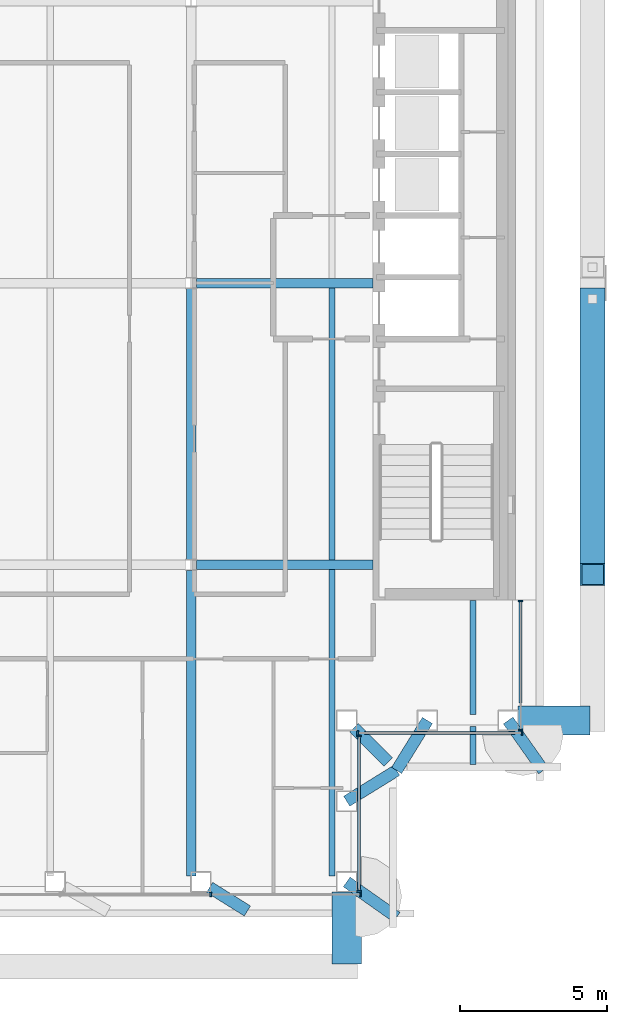
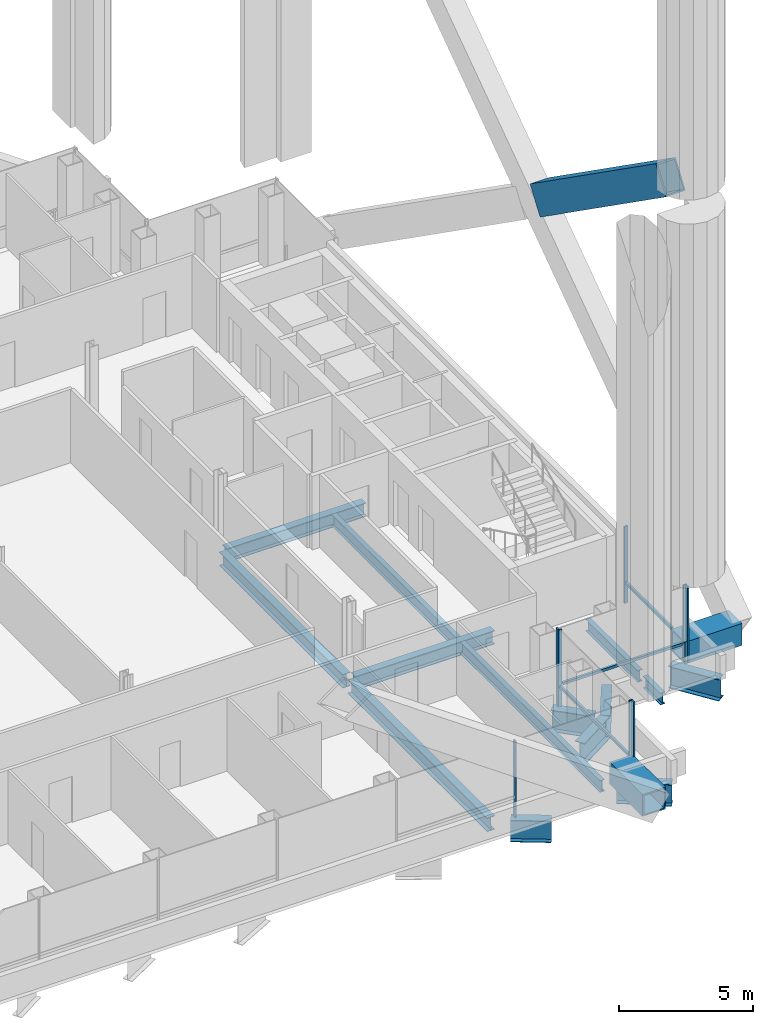
# One storey, part 6 of 22: 16 beams, 12 members, 4 elements without a shape of their own.
"""IFC4 building model written with IfcOpenShell, lengths in metres."""

from ifc_helpers import new_model, si_unit, direction, frame, origin, origin_2d, place, context, subcontext, project, spatial, rectangle, hollow_rectangle, i_section, extrude, material, material_profile, profile_set, type_object, element, aggregate, save


model = new_model("IFC4")

# Units and contexts
model_context = context("Model", 3, precision=1e-05, world=origin(), true_north=direction((0.0, 1.0)))
body_context = subcontext(model_context, "Body", "Model", "MODEL_VIEW")
ifc_project = project(units=[si_unit("LENGTHUNIT", "METRE"), si_unit("AREAUNIT", "SQUARE_METRE"), si_unit("VOLUMEUNIT", "CUBIC_METRE"), si_unit("PLANEANGLEUNIT", "RADIAN"), si_unit("MASSUNIT", "GRAM", prefix="KILO")], contexts=[model_context])

# Site, building, storey
site_placement = place(None, origin())
site = spatial("IfcSite", under=ifc_project, at=site_placement, CompositionType="ELEMENT")
building_placement = place(site_placement, origin())
building = spatial("IfcBuilding", under=site, at=building_placement, Name="Cobrizo Arcos Hotel Tower", CompositionType="ELEMENT")
storey_placement = place(building_placement, frame((0.0, 0.0, 191.0)))
storey = spatial("IfcBuildingStorey", under=building, at=storey_placement, Name="L49", CompositionType="ELEMENT", Elevation=191.0)

# Beams
ifc_material_1 = material(Name="Steel ASTM A572 Grade 50", Category="steel")
ifc_material_profile_1 = material_profile(ifc_material_1, hollow_rectangle(XDim=1.0, YDim=1.0, WallThickness=0.06005859375, at=origin_2d()), Name="BOX 1000X1000X60")
ifc_profile_set_1 = profile_set([ifc_material_profile_1], Name="Steel ASTM A572 Grade 50")
beam_type_1 = type_object("IfcBeamType", Name="BOX 1000X1000X60 brace connector strut", PredefinedType="BEAM", material=ifc_profile_set_1)
for number, where, z_axis, x_axis, name in (
    (1, (20.739990234375, -14.89990234375, 0.5), (1.0, 0.0, 0.0), (0.0, 1.0, 0.0), "Perimeter brace stub BS1, zone Z4, east face, offset -14.90 m, L49"),
    (2, (14.89990234375, -20.739990234375, 0.5), (0.0, -1.0, 0.0), (1.0, 0.0, 0.0), "Perimeter brace stub BS1, zone Z4, south face, offset +14.90 m, L49"),
):
    element("IfcBeam", number, at=place(storey_placement, frame(where, z_axis=z_axis, x_axis=x_axis)), inside=storey, type_object=beam_type_1, Name=name, PredefinedType="BEAM", context=body_context, shape_type="SweptSolid", body=[
        extrude(hollow_rectangle(XDim=1.0, YDim=1.0, WallThickness=0.06005859375, at=origin_2d()), origin(), (0.0, 0.0, 1.0), 2.455078125),
    ])

# Member
ifc_material_profile_2 = material_profile(ifc_material_1, hollow_rectangle(XDim=0.85009765625, YDim=1.300048828125, WallThickness=0.06005859375, at=origin_2d()), Name="BOX 850X1300X60")
ifc_profile_set_2 = profile_set([ifc_material_profile_2], Name="Steel ASTM A572 Grade 50")
member_type_1 = type_object("IfcMemberType", Name="BOX 850X1300X60 perimeter brace", PredefinedType="BRACE", material=ifc_profile_set_2)
member_1_placement = place(storey_placement, frame((23.27490234375, -0.539794921875, 11.38037109375), z_axis=(0.0, -0.817423321181, 0.576037424122), x_axis=(1.0, 0.0, 0.0)))
element("IfcMember", 3, at=member_1_placement, inside=storey, type_object=member_type_1, Name="Perimeter brace PBR4, zone Z4, east face, no. 01b", PredefinedType="BRACE", context=body_context, shape_type="SweptSolid", body=[
    extrude(hollow_rectangle(XDim=0.85009765625, YDim=1.300048828125, WallThickness=0.06005859375, at=origin_2d()), origin(), (0.0, 0.0, 1.0), 11.49169921875),
])

# Curtain wall, members
ifc_material_2 = material(Name="Aluminium 6063-T6 anodised bronze", Category="aluminium")
curtain_wall_type = type_object("IfcCurtainWallType", Name="CW-A guest facade", PredefinedType="NOTDEFINED", material=ifc_material_2)
curtain_wall_1_placement = place(storey_placement, origin())
curtain_wall_1 = element("IfcCurtainWall", 4, at=curtain_wall_1_placement, inside=storey, type_object=curtain_wall_type, Name="CW-A L49 S face", PredefinedType="NOTDEFINED")
ifc_material_profile_3 = material_profile(ifc_material_2, rectangle(XDim=0.14990234375, YDim=0.06005859375, at=origin_2d()), Name="CW-A mullion 150x60")
ifc_profile_set_3 = profile_set([ifc_material_profile_3], Name="Aluminium 6063-T6 anodised bronze")
member_type_2 = type_object("IfcMemberType", Name="CW-A mullion 150x60", PredefinedType="MULLION", material=ifc_profile_set_3)
member_2_placement = place(storey_placement, frame((10.2666015625, -20.824951171875, 0.0), z_axis=(0.0, 0.0, 1.0), x_axis=(0.0, -1.0, 0.0)))
member_2 = element("IfcMember", 5, at=member_2_placement, type_object=member_type_2, Name="CW-A mullion 6", PredefinedType="MULLION", context=body_context, shape_type="SweptSolid", body=[
    extrude(rectangle(XDim=0.14990234375, YDim=0.06005859375, at=origin_2d()), origin(), (0.0, 0.0, 1.0), 3.5),
])
member_3_placement = place(storey_placement, frame((15.3701171875, -20.824951171875, 0.0), z_axis=(0.0, 0.0, 1.0), x_axis=(0.0, -1.0, 0.0)))
member_3 = element("IfcMember", 6, at=member_3_placement, type_object=member_type_2, Name="CW-A mullion 7", PredefinedType="MULLION", context=body_context, shape_type="SweptSolid", body=[
    extrude(rectangle(XDim=0.14990234375, YDim=0.06005859375, at=origin_2d()), origin(), (0.0, 0.0, 1.0), 3.5),
])
aggregate(curtain_wall_1, [member_2, member_3])

curtain_wall_2_placement = place(storey_placement, origin())
curtain_wall_2 = element("IfcCurtainWall", 7, at=curtain_wall_2_placement, inside=storey, type_object=curtain_wall_type, Name="CW-A L49 E face", PredefinedType="NOTDEFINED")
member_4_placement = place(storey_placement, frame((15.324951171875, -20.719970703125, 0.0), z_axis=(0.0, 0.0, 1.0), x_axis=(1.0, 0.0, 0.0)))
member_4 = element("IfcMember", 8, at=member_4_placement, type_object=member_type_2, Name="CW-A mullion 1", PredefinedType="MULLION", context=body_context, shape_type="SweptSolid", body=[
    extrude(rectangle(XDim=0.14990234375, YDim=0.06005859375, at=origin_2d()), origin(), (0.0, 0.0, 1.0), 3.5),
])
member_5_placement = place(storey_placement, frame((15.324951171875, -15.429931640625, 0.0), z_axis=(0.0, 0.0, 1.0), x_axis=(1.0, 0.0, 0.0)))
member_5 = element("IfcMember", 9, at=member_5_placement, type_object=member_type_2, Name="CW-A mullion 2", PredefinedType="MULLION", context=body_context, shape_type="SweptSolid", body=[
    extrude(rectangle(XDim=0.14990234375, YDim=0.06005859375, at=origin_2d()), origin(), (0.0, 0.0, 1.0), 3.5),
])

curtain_wall_3_placement = place(storey_placement, origin())
curtain_wall_3 = element("IfcCurtainWall", 10, at=curtain_wall_3_placement, inside=storey, type_object=curtain_wall_type, Name="CW-A L49 S face", PredefinedType="NOTDEFINED")
member_6_placement = place(storey_placement, frame((15.280029296875, -15.324951171875, 0.0), z_axis=(0.0, 0.0, 1.0), x_axis=(0.0, -1.0, 0.0)))
member_6 = element("IfcMember", 11, at=member_6_placement, type_object=member_type_2, Name="CW-A mullion 1", PredefinedType="MULLION", context=body_context, shape_type="SweptSolid", body=[
    extrude(rectangle(XDim=0.14990234375, YDim=0.06005859375, at=origin_2d()), origin(), (0.0, 0.0, 1.0), 3.5),
])
member_7_placement = place(storey_placement, frame((20.8701171875, -15.324951171875, 0.0), z_axis=(0.0, 0.0, 1.0), x_axis=(0.0, -1.0, 0.0)))
member_7 = element("IfcMember", 12, at=member_7_placement, type_object=member_type_2, Name="CW-A mullion 2", PredefinedType="MULLION", context=body_context, shape_type="SweptSolid", body=[
    extrude(rectangle(XDim=0.14990234375, YDim=0.06005859375, at=origin_2d()), origin(), (0.0, 0.0, 1.0), 3.5),
])

curtain_wall_4_placement = place(storey_placement, origin())
curtain_wall_4 = element("IfcCurtainWall", 13, at=curtain_wall_4_placement, inside=storey, type_object=curtain_wall_type, Name="CW-A L49 E face", PredefinedType="NOTDEFINED")
member_8_placement = place(storey_placement, frame((20.824951171875, -15.219970703125, 0.0), z_axis=(0.0, 0.0, 1.0), x_axis=(1.0, 0.0, 0.0)))
member_8 = element("IfcMember", 14, at=member_8_placement, type_object=member_type_2, Name="CW-A mullion 1", PredefinedType="MULLION", context=body_context, shape_type="SweptSolid", body=[
    extrude(rectangle(XDim=0.14990234375, YDim=0.06005859375, at=origin_2d()), origin(), (0.0, 0.0, 1.0), 3.5),
])
member_9_placement = place(storey_placement, frame((20.824951171875, -10.830078125, 0.0), z_axis=(0.0, 0.0, 1.0), x_axis=(1.0, 0.0, 0.0)))
member_9 = element("IfcMember", 15, at=member_9_placement, type_object=member_type_2, Name="CW-A mullion 2", PredefinedType="MULLION", context=body_context, shape_type="SweptSolid", body=[
    extrude(rectangle(XDim=0.14990234375, YDim=0.06005859375, at=origin_2d()), origin(), (0.0, 0.0, 1.0), 3.5),
])

# Member
ifc_material_profile_4 = material_profile(ifc_material_2, rectangle(XDim=0.10009765625, YDim=0.1201171875, at=origin_2d()), Name="CW-A transom 120x100")
ifc_profile_set_4 = profile_set([ifc_material_profile_4], Name="Aluminium 6063-T6 anodised bronze")
member_type_3 = type_object("IfcMemberType", Name="CW-A transom 120x100", PredefinedType="USERDEFINED", material=ifc_profile_set_4)
member_10_placement = place(storey_placement, frame((15.324951171875, -20.639892578125, 0.929931640625), z_axis=(0.0, 1.0, 0.0), x_axis=(-1.0, 0.0, 0.0)))
member_10 = element("IfcMember", 16, at=member_10_placement, type_object=member_type_3, Name="CW-A transom 1702", ObjectType="TRANSOM", PredefinedType="USERDEFINED", context=body_context, shape_type="SweptSolid", body=[
    extrude(rectangle(XDim=0.10009765625, YDim=0.1201171875, at=origin_2d()), origin(), (0.0, 0.0, 1.0), 5.139892578125),
])

aggregate(curtain_wall_2, [member_4, member_5, member_10])

member_11_placement = place(storey_placement, frame((15.5, -15.324951171875, 0.929931640625), z_axis=(1.0, 0.0, 0.0), x_axis=(0.0, 1.0, 0.0)))
member_11 = element("IfcMember", 17, at=member_11_placement, type_object=member_type_3, Name="CW-A transom 1703", ObjectType="TRANSOM", PredefinedType="USERDEFINED", context=body_context, shape_type="SweptSolid", body=[
    extrude(rectangle(XDim=0.10009765625, YDim=0.1201171875, at=origin_2d()), origin(), (0.0, 0.0, 1.0), 5.139892578125),
])

aggregate(curtain_wall_3, [member_6, member_7, member_11])

member_12_placement = place(storey_placement, frame((20.824951171875, -14.300048828125, 0.929931640625), z_axis=(0.0, 1.0, 0.0), x_axis=(-1.0, 0.0, 0.0)))
member_12 = element("IfcMember", 18, at=member_12_placement, type_object=member_type_3, Name="CW-A transom 1704", ObjectType="TRANSOM", PredefinedType="USERDEFINED", context=body_context, shape_type="SweptSolid", body=[
    extrude(rectangle(XDim=0.10009765625, YDim=0.1201171875, at=origin_2d()), origin(), (0.0, 0.0, 1.0), 3.43994140625),
])

aggregate(curtain_wall_4, [member_8, member_9, member_12])

# Beams
ifc_material_3 = material(Name="Steel ASTM A992 Grade 50", Category="steel")
ifc_material_profile_5 = material_profile(ifc_material_3, i_section(OverallWidth=0.209228515625, OverallDepth=0.533447265625, WebThickness=0.01025390625, FlangeThickness=0.015625, at=origin_2d()), Name="W21X62")
ifc_profile_set_5 = profile_set([ifc_material_profile_5], Name="Steel ASTM A992 Grade 50")
beam_type_2 = type_object("IfcBeamType", Name="W21X62 joist", PredefinedType="JOIST", material=ifc_profile_set_5)
beam_1_placement = place(storey_placement, frame((14.39990234375, -20.199462890625, -0.416748046875), z_axis=(0.0, 1.0, 0.0), x_axis=(-1.0, 0.0, 0.0)))
element("IfcBeam", 19, at=beam_1_placement, inside=storey, type_object=beam_type_2, Name="Floor joist J1, L49, no. 017", PredefinedType="JOIST", context=body_context, shape_type="SweptSolid", body=[
    extrude(i_section(OverallWidth=0.209228515625, OverallDepth=0.533447265625, WebThickness=0.01025390625, FlangeThickness=0.015625, at=origin_2d()), origin(), (0.0, 0.0, 1.0), 10.435546875),
])
beam_2_placement = place(storey_placement, frame((14.39990234375, -9.43603515625, -0.416748046875), z_axis=(0.0, 1.0, 0.0), x_axis=(-1.0, 0.0, 0.0)))
element("IfcBeam", 20, at=beam_2_placement, inside=storey, type_object=beam_type_2, Name="Floor joist J1, L49, no. 018", PredefinedType="JOIST", context=body_context, shape_type="SweptSolid", body=[
    extrude(i_section(OverallWidth=0.209228515625, OverallDepth=0.533447265625, WebThickness=0.01025390625, FlangeThickness=0.015625, at=origin_2d()), origin(), (0.0, 0.0, 1.0), 9.272216796875),
])
beam_3_placement = place(storey_placement, frame((19.199951171875, -16.3994140625, -0.416748046875), z_axis=(0.0, 1.0, 0.0), x_axis=(-1.0, 0.0, 0.0)))
element("IfcBeam", 21, at=beam_3_placement, inside=storey, type_object=beam_type_2, Name="Floor joist J1, L49, no. 021", PredefinedType="JOIST", context=body_context, shape_type="SweptSolid", body=[
    extrude(i_section(OverallWidth=0.209228515625, OverallDepth=0.533447265625, WebThickness=0.01025390625, FlangeThickness=0.015625, at=origin_2d()), origin(), (0.0, 0.0, 1.0), 1.298828125),
])
beam_4_placement = place(storey_placement, frame((19.199951171875, -14.699462890625, -0.416748046875), z_axis=(0.0, 1.0, 0.0), x_axis=(-1.0, 0.0, 0.0)))
element("IfcBeam", 22, at=beam_4_placement, inside=storey, type_object=beam_type_2, Name="Floor joist J1, L49, no. 022", PredefinedType="JOIST", context=body_context, shape_type="SweptSolid", body=[
    extrude(i_section(OverallWidth=0.209228515625, OverallDepth=0.533447265625, WebThickness=0.01025390625, FlangeThickness=0.015625, at=origin_2d()), origin(), (0.0, 0.0, 1.0), 3.889404296875),
])
ifc_material_profile_6 = material_profile(ifc_material_3, i_section(OverallWidth=0.32763671875, OverallDepth=0.622314453125, WebThickness=0.015380859375, FlangeThickness=0.0244140625, at=origin_2d()), Name="W24X131")
ifc_profile_set_6 = profile_set([ifc_material_profile_6], Name="Steel ASTM A992 Grade 50")
beam_type_3 = type_object("IfcBeamType", Name="W24X131 girder", PredefinedType="BEAM", material=ifc_profile_set_6)
for number, where, z_axis, x_axis, name in (
    (23, (9.78662109375, -9.60009765625, -0.461181640625), (1.0, 0.0, 0.0), (0.0, 1.0, 0.0), "Floor girder G1, L49, no. 004"),
    (24, (9.78662109375, 0.0, -0.461181640625), (1.0, 0.0, 0.0), (0.0, 1.0, 0.0), "Floor girder G1, L49, no. 008"),
):
    element("IfcBeam", number, at=place(storey_placement, frame(where, z_axis=z_axis, x_axis=x_axis)), inside=storey, type_object=beam_type_3, Name=name, PredefinedType="BEAM", context=body_context, shape_type="SweptSolid", body=[
        extrude(i_section(OverallWidth=0.32763671875, OverallDepth=0.622314453125, WebThickness=0.015380859375, FlangeThickness=0.0244140625, at=origin_2d()), origin(), (0.0, 0.0, 1.0), 6.00341796875),
    ])
beam_5_placement = place(storey_placement, frame((9.60009765625, -20.199462890625, -0.461181640625), z_axis=(0.0, 1.0, 0.0), x_axis=(-1.0, 0.0, 0.0)))
element("IfcBeam", 25, at=beam_5_placement, inside=storey, type_object=beam_type_3, Name="Floor girder G1, L49, no. 021", PredefinedType="BEAM", context=body_context, shape_type="SweptSolid", body=[
    extrude(i_section(OverallWidth=0.32763671875, OverallDepth=0.622314453125, WebThickness=0.015380859375, FlangeThickness=0.0244140625, at=origin_2d()), origin(), (0.0, 0.0, 1.0), 10.412841796875),
])
beam_6_placement = place(storey_placement, frame((9.60009765625, -9.413330078125, -0.461181640625), z_axis=(0.0, 1.0, 0.0), x_axis=(-1.0, 0.0, 0.0)))
element("IfcBeam", 26, at=beam_6_placement, inside=storey, type_object=beam_type_3, Name="Floor girder G1, L49, no. 022", PredefinedType="BEAM", context=body_context, shape_type="SweptSolid", body=[
    extrude(i_section(OverallWidth=0.32763671875, OverallDepth=0.622314453125, WebThickness=0.015380859375, FlangeThickness=0.0244140625, at=origin_2d()), origin(), (0.0, 0.0, 1.0), 9.2265625),
])
ifc_material_profile_7 = material_profile(ifc_material_3, i_section(OverallWidth=0.4013671875, OverallDepth=0.990478515625, WebThickness=0.0166015625, FlangeThickness=0.025390625, at=origin_2d()), Name="W40X215")
ifc_profile_set_7 = profile_set([ifc_material_profile_7], Name="Steel ASTM A992 Grade 50")
beam_type_4 = type_object("IfcBeamType", Name="W40X215 transfer girder", PredefinedType="BEAM", material=ifc_profile_set_7)
beam_7_placement = place(storey_placement, frame((11.517578125, -21.38818359375, -0.645263671875), z_axis=(-0.848522130236, 0.529159895022, 0.0), x_axis=(-0.529159895022, -0.848522130236, 0.0)))
element("IfcBeam", 27, at=beam_7_placement, inside=storey, type_object=beam_type_4, Name="Setback transfer girder TG1, L49, no. 012", PredefinedType="BEAM", context=body_context, shape_type="SweptSolid", body=[
    extrude(i_section(OverallWidth=0.4013671875, OverallDepth=0.990478515625, WebThickness=0.0166015625, FlangeThickness=0.025390625, at=origin_2d()), origin(), (0.0, 0.0, 1.0), 1.517578125),
])
for number, where, z_axis, x_axis, name in (
    (28, (16.60009765625, -21.60009765625, -0.645263671875), (-0.816954858588, 0.57670162045, 0.0), (-0.57670162045, -0.816954858588, 0.0), "Setback transfer girder TG1, L49, no. 014"),
    (29, (21.60009765625, -16.60009765625, -0.645263671875), (-0.57670162045, 0.816954858588, 0.0), (-0.816954858588, -0.57670162045, 0.0), "Setback transfer girder TG1, L49, no. 015"),
):
    element("IfcBeam", number, at=place(storey_placement, frame(where, z_axis=z_axis, x_axis=x_axis)), inside=storey, type_object=beam_type_4, Name=name, PredefinedType="BEAM", context=body_context, shape_type="SweptSolid", body=[
        extrude(i_section(OverallWidth=0.4013671875, OverallDepth=0.990478515625, WebThickness=0.0166015625, FlangeThickness=0.025390625, at=origin_2d()), origin(), (0.0, 0.0, 1.0), 2.0810546875),
    ])
beam_8_placement = place(storey_placement, frame((16.317138671875, -16.317138671875, -0.645263671875), z_axis=(-0.707106781187, 0.707106781187, 0.0), x_axis=(-0.707106781187, -0.707106781187, 0.0)))
element("IfcBeam", 30, at=beam_8_placement, inside=storey, type_object=beam_type_4, Name="Setback transfer girder TG1, L49, no. 025", PredefinedType="BEAM", context=body_context, shape_type="SweptSolid", body=[
    extrude(i_section(OverallWidth=0.4013671875, OverallDepth=0.990478515625, WebThickness=0.0166015625, FlangeThickness=0.025390625, at=origin_2d()), origin(), (0.0, 0.0, 1.0), 1.654052734375),
])
for number, where, z_axis, x_axis, name in (
    (31, (16.60009765625, -16.60009765625, -0.645263671875), (-0.850868681752, -0.525378422104, 0.0), (0.525378422104, -0.850868681752, 0.0), "Setback transfer girder TG1, L49, no. 026"),
    (32, (16.60009765625, -16.60009765625, -0.645263671875), (0.525378422104, 0.850868681752, 0.0), (-0.850868681752, 0.525378422104, 0.0), "Setback transfer girder TG1, L49, no. 027"),
):
    element("IfcBeam", number, at=place(storey_placement, frame(where, z_axis=z_axis, x_axis=x_axis)), inside=storey, type_object=beam_type_4, Name=name, PredefinedType="BEAM", context=body_context, shape_type="SweptSolid", body=[
        extrude(i_section(OverallWidth=0.4013671875, OverallDepth=0.990478515625, WebThickness=0.0166015625, FlangeThickness=0.025390625, at=origin_2d()), origin(), (0.0, 0.0, 1.0), 1.998291015625),
    ])

save(model, "model.ifc")
